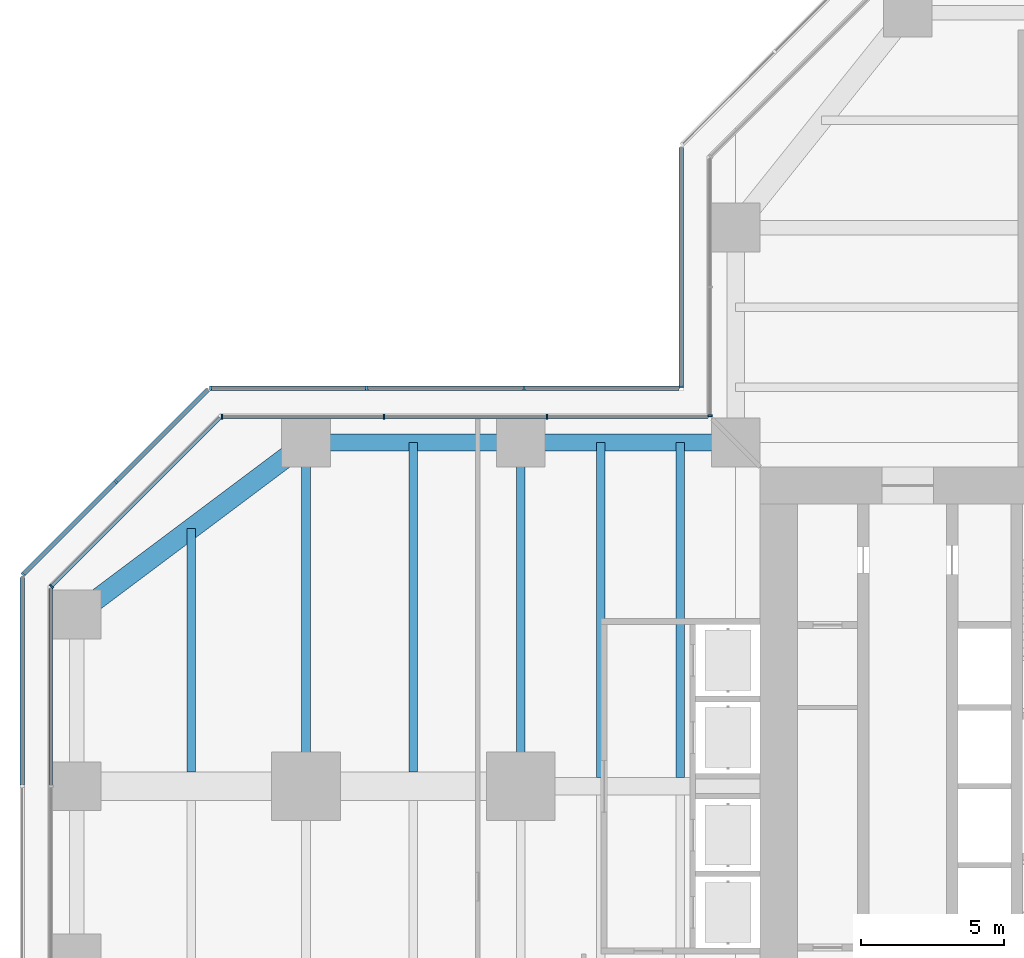
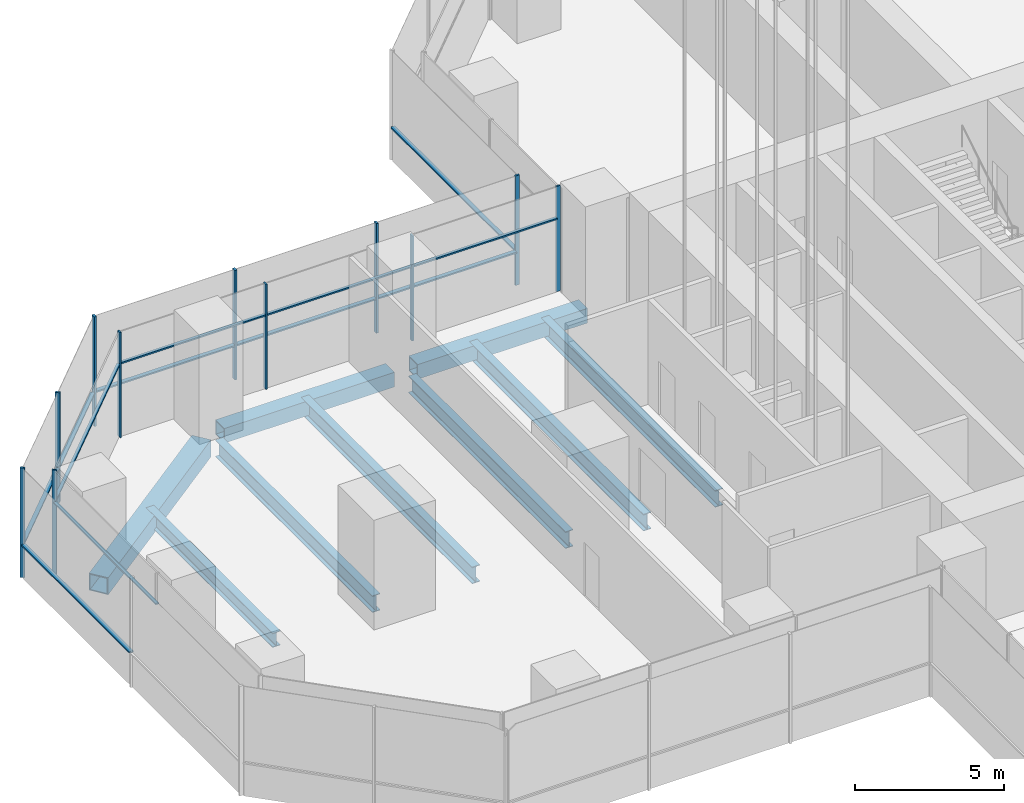
# One storey, part 6 of 34: 23 members, 9 beams, 8 elements without a shape of their own.
"""IFC4 building model written with IfcOpenShell, lengths in metres."""

from ifc_helpers import new_model, si_unit, direction, frame, origin, origin_2d, place, context, subcontext, project, spatial, rectangle, hollow_rectangle, i_section, extrude, material, material_profile, profile_set, type_object, element, aggregate, save


model = new_model("IFC4")

# Units and contexts
model_context = context("Model", 3, precision=1e-05, world=origin(), true_north=direction((0.0, 1.0)))
body_context = subcontext(model_context, "Body", "Model", "MODEL_VIEW")
ifc_project = project(units=[si_unit("LENGTHUNIT", "METRE"), si_unit("AREAUNIT", "SQUARE_METRE"), si_unit("VOLUMEUNIT", "CUBIC_METRE"), si_unit("PLANEANGLEUNIT", "RADIAN"), si_unit("MASSUNIT", "GRAM", prefix="KILO")], contexts=[model_context])

# Site, building, storey
site_placement = place(None, origin())
site = spatial("IfcSite", under=ifc_project, at=site_placement, CompositionType="ELEMENT")
building_placement = place(site_placement, origin())
building = spatial("IfcBuilding", under=site, at=building_placement, Name="Mizan Broadcast Tower", CompositionType="ELEMENT")
storey_placement = place(building_placement, frame((0.0, 0.0, 194.39990234375)))
storey = spatial("IfcBuildingStorey", under=building, at=storey_placement, Name="L45", CompositionType="ELEMENT", Elevation=194.39990234375)

# Beams
ifc_material_1 = material(Name="Steel S355", Category="steel")
ifc_material_profile_1 = material_profile(ifc_material_1, hollow_rectangle(XDim=0.60009765625, YDim=0.60009765625, WallThickness=0.0400390625, at=origin_2d()), Name="BOX 600x600x40")
ifc_profile_set_1 = profile_set([ifc_material_profile_1], Name="Steel S355")
beam_type_1 = type_object("IfcBeamType", Name="EDGE BEAM BOX 600x600x40", PredefinedType="SPANDREL", material=ifc_profile_set_1)
for number, where, z_axis, x_axis, name in (
    (1, (-12.449951171875, 12.0, -0.429931640625), (-1.0, 0.0, 0.0), (0.0, -1.0, 0.0), "Edge beam BOX 600x600x40 L45 west arm"),
    (2, (-19.949951171875, 12.0, -0.429931640625), (-1.0, 0.0, 0.0), (0.0, -1.0, 0.0), "Edge beam BOX 600x600x40 L45 west arm"),
):
    element("IfcBeam", number, at=place(storey_placement, frame(where, z_axis=z_axis, x_axis=x_axis)), inside=storey, type_object=beam_type_1, Name=name, PredefinedType="SPANDREL", context=body_context, shape_type="SweptSolid", body=[
        extrude(hollow_rectangle(XDim=0.60009765625, YDim=0.60009765625, WallThickness=0.0400390625, at=origin_2d()), origin(), (0.0, 0.0, 1.0), 6.60009765625),
    ])
ifc_material_2 = material(Name="Steel S355", Category="steel")
ifc_material_profile_2 = material_profile(ifc_material_2, hollow_rectangle(XDim=0.699951171875, YDim=0.699951171875, WallThickness=0.0400390625, at=origin_2d()), Name="BOX 700x700x40")
ifc_profile_set_2 = profile_set([ifc_material_profile_2], Name="Steel S355")
beam_type_2 = type_object("IfcBeamType", Name="EDGE BEAM BOX 700x700x40", PredefinedType="SPANDREL", material=ifc_profile_set_2)
beam_1_placement = place(storey_placement, frame((-27.47998046875, 11.639892578125, -0.47998046875), z_axis=(-0.800013316712, -0.599982243973, 0.0), x_axis=(0.599982243973, -0.800013316712, 0.0)))
element("IfcBeam", 3, at=beam_1_placement, inside=storey, type_object=beam_type_2, Name="Edge beam BOX 700x700x40 L45 west arm", PredefinedType="SPANDREL", context=body_context, shape_type="SweptSolid", body=[
    extrude(hollow_rectangle(XDim=0.699951171875, YDim=0.699951171875, WallThickness=0.0400390625, at=origin_2d()), origin(), (0.0, 0.0, 1.0), 8.7998046875),
])
ifc_material_3 = material(Name="Steel S355", Category="steel")
ifc_material_profile_3 = material_profile(ifc_material_3, i_section(OverallWidth=0.300048828125, OverallDepth=0.68994140625, WebThickness=0.014404296875, FlangeThickness=0.027099609375, FilletRadius=0.027099609375, at=origin_2d()), Name="HEA 700")
ifc_profile_set_3 = profile_set([ifc_material_profile_3], Name="Steel S355")
beam_type_3 = type_object("IfcBeamType", Name="GIRDER HEA 700", PredefinedType="BEAM", material=ifc_profile_set_3)
for number, where, z_axis, x_axis, name in (
    (4, (-19.5, 11.280029296875, -0.474853515625), (0.0, -1.0, 0.0), (1.0, 0.0, 0.0), "Girder HEA 700 L45 west arm"),
    (5, (-27.0, 11.280029296875, -0.474853515625), (0.0, -1.0, 0.0), (1.0, 0.0, 0.0), "Girder HEA 700 L45 west arm"),
):
    element("IfcBeam", number, at=place(storey_placement, frame(where, z_axis=z_axis, x_axis=x_axis)), inside=storey, type_object=beam_type_3, Name=name, PredefinedType="BEAM", context=body_context, shape_type="SweptSolid", body=[
        extrude(i_section(OverallWidth=0.300048828125, OverallDepth=0.68994140625, WebThickness=0.014404296875, FlangeThickness=0.027099609375, FilletRadius=0.027099609375, at=origin_2d()), origin(), (0.0, 0.0, 1.0), 10.56005859375),
    ])

# Curtain wall, member
ifc_material_4 = material(Name="Aluminium framed glazing", Category="aluminium")
curtain_wall_type_1 = type_object("IfcCurtainWallType", Name="INNER SKIN HIGH ZONE", PredefinedType="USERDEFINED", material=ifc_material_4)
curtain_wall_1_placement = place(storey_placement, origin())
curtain_wall_1 = element("IfcCurtainWall", 6, at=curtain_wall_1_placement, inside=storey, type_object=curtain_wall_type_1, Name="Inner skin high zone L45 N side", ObjectType="INNER SKIN HIGH ZONE", PredefinedType="USERDEFINED")
ifc_material_5 = material(Name="Aluminium, pale anodised", Category="aluminium")
ifc_material_profile_4 = material_profile(ifc_material_5, rectangle(XDim=0.159912109375, YDim=0.06005859375, at=origin_2d()), Name="MULLION 160x60")
ifc_profile_set_4 = profile_set([ifc_material_profile_4], Name="Aluminium, pale anodised")
member_type_1 = type_object("IfcMemberType", Name="INNER SKIN MULLION 60x160", PredefinedType="MULLION", material=ifc_profile_set_4)
member_1_placement = place(storey_placement, frame((-12.89990234375, 12.929931640625, 0.0), z_axis=(0.0, 0.0, 1.0), x_axis=(1.0, 0.0, 0.0)))
member_1 = element("IfcMember", 7, at=member_1_placement, type_object=member_type_1, Name="Inner skin high zone L45 N side mullion 3", PredefinedType="MULLION", context=body_context, shape_type="SweptSolid", body=[
    extrude(rectangle(XDim=0.159912109375, YDim=0.06005859375, at=origin_2d()), origin(), (0.0, 0.0, 1.0), 4.320068359375),
])
aggregate(curtain_wall_1, [member_1])

# Curtain wall, members
curtain_wall_2_placement = place(storey_placement, origin())
curtain_wall_2 = element("IfcCurtainWall", 8, at=curtain_wall_2_placement, inside=storey, type_object=curtain_wall_type_1, Name="Inner skin high zone L45 W side", ObjectType="INNER SKIN HIGH ZONE", PredefinedType="USERDEFINED")
member_2_placement = place(storey_placement, frame((-18.586181640625, 12.89990234375, 0.0), z_axis=(0.0, 0.0, 1.0), x_axis=(0.0, -1.0, 0.0)))
member_2 = element("IfcMember", 9, at=member_2_placement, type_object=member_type_1, Name="Inner skin high zone L45 W side mullion 2", PredefinedType="MULLION", context=body_context, shape_type="SweptSolid", body=[
    extrude(rectangle(XDim=0.159912109375, YDim=0.06005859375, at=origin_2d()), origin(), (0.0, 0.0, 1.0), 4.320068359375),
])
member_3_placement = place(storey_placement, frame((-24.2724609375, 12.89990234375, 0.0), z_axis=(0.0, 0.0, 1.0), x_axis=(0.0, -1.0, 0.0)))
member_3 = element("IfcMember", 10, at=member_3_placement, type_object=member_type_1, Name="Inner skin high zone L45 W side mullion 3", PredefinedType="MULLION", context=body_context, shape_type="SweptSolid", body=[
    extrude(rectangle(XDim=0.159912109375, YDim=0.06005859375, at=origin_2d()), origin(), (0.0, 0.0, 1.0), 4.320068359375),
])
member_4_placement = place(storey_placement, frame((-29.928466796875, 12.89990234375, 0.0), z_axis=(0.0, 0.0, 1.0), x_axis=(0.0, -1.0, 0.0)))
member_4 = element("IfcMember", 11, at=member_4_placement, type_object=member_type_1, Name="Inner skin high zone L45 W side mullion 4", PredefinedType="MULLION", context=body_context, shape_type="SweptSolid", body=[
    extrude(rectangle(XDim=0.159912109375, YDim=0.06005859375, at=origin_2d()), origin(), (0.0, 0.0, 1.0), 4.320068359375),
])

# Curtain wall, member
curtain_wall_3_placement = place(storey_placement, origin())
curtain_wall_3 = element("IfcCurtainWall", 12, at=curtain_wall_3_placement, inside=storey, type_object=curtain_wall_type_1, Name="Inner skin high zone L45 W chamfer", ObjectType="INNER SKIN HIGH ZONE", PredefinedType="USERDEFINED")
member_5_placement = place(storey_placement, frame((-35.87890625, 6.979736328125, 0.0), z_axis=(0.0, 0.0, 1.0), x_axis=(0.707106781187, -0.707106781187, 0.0)))
member_5 = element("IfcMember", 13, at=member_5_placement, type_object=member_type_1, Name="Inner skin high zone L45 W chamfer mullion 2", PredefinedType="MULLION", context=body_context, shape_type="SweptSolid", body=[
    extrude(rectangle(XDim=0.159912109375, YDim=0.06005859375, at=origin_2d()), origin(), (0.0, 0.0, 1.0), 4.320068359375),
])

# Member
ifc_material_6 = material(Name="Aluminium, pale anodised", Category="aluminium")
ifc_material_profile_5 = material_profile(ifc_material_6, rectangle(XDim=0.1201171875, YDim=0.06005859375, at=origin_2d()), Name="TRANSOM 120x60")
ifc_profile_set_5 = profile_set([ifc_material_profile_5], Name="Aluminium, pale anodised")
member_type_2 = type_object("IfcMemberType", Name="INNER SKIN TRANSOM 60x120", PredefinedType="USERDEFINED", material=ifc_profile_set_5)
member_6_placement = place(storey_placement, frame((-12.9599609375, 12.89990234375, 3.030029296875), z_axis=(-1.0, 0.0, 0.0), x_axis=(0.0, -1.0, 0.0)))
member_6 = element("IfcMember", 14, at=member_6_placement, type_object=member_type_2, Name="Inner skin high zone L45 W side transom 1.1", ObjectType="TRANSOM", PredefinedType="USERDEFINED", context=body_context, shape_type="SweptSolid", body=[
    extrude(rectangle(XDim=0.1201171875, YDim=0.06005859375, at=origin_2d()), origin(), (0.0, 0.0, 1.0), 5.59619140625),
])

member_7_placement = place(storey_placement, frame((-18.6162109375, 12.89990234375, 3.030029296875), z_axis=(-1.0, 0.0, 0.0), x_axis=(0.0, -1.0, 0.0)))
member_7 = element("IfcMember", 15, at=member_7_placement, type_object=member_type_2, Name="Inner skin high zone L45 W side transom 2.1", ObjectType="TRANSOM", PredefinedType="USERDEFINED", context=body_context, shape_type="SweptSolid", body=[
    extrude(rectangle(XDim=0.1201171875, YDim=0.06005859375, at=origin_2d()), origin(), (0.0, 0.0, 1.0), 5.626220703125),
])

member_8_placement = place(storey_placement, frame((-24.302490234375, 12.89990234375, 3.030029296875), z_axis=(-1.0, 0.0, 0.0), x_axis=(0.0, -1.0, 0.0)))
member_8 = element("IfcMember", 16, at=member_8_placement, type_object=member_type_2, Name="Inner skin high zone L45 W side transom 3.1", ObjectType="TRANSOM", PredefinedType="USERDEFINED", context=body_context, shape_type="SweptSolid", body=[
    extrude(rectangle(XDim=0.1201171875, YDim=0.06005859375, at=origin_2d()), origin(), (0.0, 0.0, 1.0), 5.59619140625),
])

aggregate(curtain_wall_2, [member_2, member_3, member_4, member_6, member_7, member_8])

member_9_placement = place(storey_placement, frame((-30.0009765625, 12.857666015625, 3.030029296875), z_axis=(-0.707106781187, -0.707106781187, 0.0), x_axis=(0.707106781187, -0.707106781187, 0.0)))
member_9 = element("IfcMember", 17, at=member_9_placement, type_object=member_type_2, Name="Inner skin high zone L45 W chamfer transom 1.1", ObjectType="TRANSOM", PredefinedType="USERDEFINED", context=body_context, shape_type="SweptSolid", body=[
    extrude(rectangle(XDim=0.1201171875, YDim=0.06005859375, at=origin_2d()), origin(), (0.0, 0.0, 1.0), 8.28271484375),
])

aggregate(curtain_wall_3, [member_5, member_9])

# Curtain wall, member
curtain_wall_4_placement = place(storey_placement, origin())
curtain_wall_4 = element("IfcCurtainWall", 18, at=curtain_wall_4_placement, inside=storey, type_object=curtain_wall_type_1, Name="Inner skin high zone L45 W end", ObjectType="INNER SKIN HIGH ZONE", PredefinedType="USERDEFINED")
member_10_placement = place(storey_placement, frame((-35.89990234375, 6.898681640625, 3.030029296875), z_axis=(0.0, -1.0, 0.0), x_axis=(1.0, 0.0, 0.0)))
member_10 = element("IfcMember", 19, at=member_10_placement, type_object=member_type_2, Name="Inner skin high zone L45 W end transom 1.1", ObjectType="TRANSOM", PredefinedType="USERDEFINED", context=body_context, shape_type="SweptSolid", body=[
    extrude(rectangle(XDim=0.1201171875, YDim=0.06005859375, at=origin_2d()), origin(), (0.0, 0.0, 1.0), 6.86865234375),
])
aggregate(curtain_wall_4, [member_10])

ifc_material_7 = material(Name="Aluminium framed glazing", Category="aluminium")
curtain_wall_type_2 = type_object("IfcCurtainWallType", Name="OUTER SKIN", PredefinedType="USERDEFINED", material=ifc_material_7)
curtain_wall_5_placement = place(storey_placement, origin())
curtain_wall_5 = element("IfcCurtainWall", 20, at=curtain_wall_5_placement, inside=storey, type_object=curtain_wall_type_2, Name="Outer skin L45 N side", ObjectType="OUTER SKIN", PredefinedType="USERDEFINED")
ifc_material_8 = material(Name="Aluminium, pale anodised", Category="aluminium")
ifc_material_profile_6 = material_profile(ifc_material_8, rectangle(XDim=0.159912109375, YDim=0.080078125, at=origin_2d()), Name="MULLION 160x80")
ifc_profile_set_6 = profile_set([ifc_material_profile_6], Name="Aluminium, pale anodised")
member_type_3 = type_object("IfcMemberType", Name="OUTER SKIN MULLION 80x160", PredefinedType="MULLION", material=ifc_profile_set_6)
member_11_placement = place(storey_placement, frame((-13.89990234375, 13.93994140625, 0.0), z_axis=(0.0, 0.0, 1.0), x_axis=(1.0, 0.0, 0.0)))
member_11 = element("IfcMember", 21, at=member_11_placement, type_object=member_type_3, Name="Outer skin L45 N side mullion 2", PredefinedType="MULLION", context=body_context, shape_type="SweptSolid", body=[
    extrude(rectangle(XDim=0.159912109375, YDim=0.080078125, at=origin_2d()), origin(), (0.0, 0.0, 1.0), 4.5),
])

# Curtain wall, members
curtain_wall_6_placement = place(storey_placement, origin())
curtain_wall_6 = element("IfcCurtainWall", 22, at=curtain_wall_6_placement, inside=storey, type_object=curtain_wall_type_2, Name="Outer skin L45 W side", ObjectType="OUTER SKIN", PredefinedType="USERDEFINED")
member_12_placement = place(storey_placement, frame((-19.390869140625, 13.89990234375, 0.0), z_axis=(0.0, 0.0, 1.0), x_axis=(0.0, -1.0, 0.0)))
member_12 = element("IfcMember", 23, at=member_12_placement, type_object=member_type_3, Name="Outer skin L45 W side mullion 2", PredefinedType="MULLION", context=body_context, shape_type="SweptSolid", body=[
    extrude(rectangle(XDim=0.159912109375, YDim=0.080078125, at=origin_2d()), origin(), (0.0, 0.0, 1.0), 4.5),
])
member_13_placement = place(storey_placement, frame((-24.8818359375, 13.89990234375, 0.0), z_axis=(0.0, 0.0, 1.0), x_axis=(0.0, -1.0, 0.0)))
member_13 = element("IfcMember", 24, at=member_13_placement, type_object=member_type_3, Name="Outer skin L45 W side mullion 3", PredefinedType="MULLION", context=body_context, shape_type="SweptSolid", body=[
    extrude(rectangle(XDim=0.159912109375, YDim=0.080078125, at=origin_2d()), origin(), (0.0, 0.0, 1.0), 4.5),
])
member_14_placement = place(storey_placement, frame((-30.332763671875, 13.89990234375, 0.0), z_axis=(0.0, 0.0, 1.0), x_axis=(0.0, -1.0, 0.0)))
member_14 = element("IfcMember", 25, at=member_14_placement, type_object=member_type_3, Name="Outer skin L45 W side mullion 4", PredefinedType="MULLION", context=body_context, shape_type="SweptSolid", body=[
    extrude(rectangle(XDim=0.159912109375, YDim=0.080078125, at=origin_2d()), origin(), (0.0, 0.0, 1.0), 4.5),
])

curtain_wall_7_placement = place(storey_placement, origin())
curtain_wall_7 = element("IfcCurtainWall", 26, at=curtain_wall_7_placement, inside=storey, type_object=curtain_wall_type_2, Name="Outer skin L45 W chamfer", ObjectType="OUTER SKIN", PredefinedType="USERDEFINED")
member_15_placement = place(storey_placement, frame((-33.636474609375, 10.636474609375, 0.0), z_axis=(0.0, 0.0, 1.0), x_axis=(0.707106781187, -0.707106781187, 0.0)))
member_15 = element("IfcMember", 27, at=member_15_placement, type_object=member_type_3, Name="Outer skin L45 W chamfer mullion 2", PredefinedType="MULLION", context=body_context, shape_type="SweptSolid", body=[
    extrude(rectangle(XDim=0.159912109375, YDim=0.080078125, at=origin_2d()), origin(), (0.0, 0.0, 1.0), 4.5),
])
member_16_placement = place(storey_placement, frame((-36.871826171875, 7.401123046875, 0.0), z_axis=(0.0, 0.0, 1.0), x_axis=(0.707106781187, -0.707106781187, 0.0)))
member_16 = element("IfcMember", 28, at=member_16_placement, type_object=member_type_3, Name="Outer skin L45 W chamfer mullion 3", PredefinedType="MULLION", context=body_context, shape_type="SweptSolid", body=[
    extrude(rectangle(XDim=0.159912109375, YDim=0.080078125, at=origin_2d()), origin(), (0.0, 0.0, 1.0), 4.5),
])

# Member
ifc_material_9 = material(Name="Aluminium, pale anodised", Category="aluminium")
ifc_material_profile_7 = material_profile(ifc_material_9, rectangle(XDim=0.159912109375, YDim=0.06005859375, at=origin_2d()), Name="TRANSOM 160x60")
ifc_profile_set_7 = profile_set([ifc_material_profile_7], Name="Aluminium, pale anodised")
member_type_4 = type_object("IfcMemberType", Name="OUTER SKIN TRANSOM 60x160", PredefinedType="USERDEFINED", material=ifc_profile_set_7)
member_17_placement = place(storey_placement, frame((-13.89990234375, 22.292724609375, 1.400146484375), z_axis=(0.0, -1.0, 0.0), x_axis=(1.0, 0.0, 0.0)))
member_17 = element("IfcMember", 29, at=member_17_placement, type_object=member_type_4, Name="Outer skin L45 N side transom 1.1", ObjectType="TRANSOM", PredefinedType="USERDEFINED", context=body_context, shape_type="SweptSolid", body=[
    extrude(rectangle(XDim=0.159912109375, YDim=0.06005859375, at=origin_2d()), origin(), (0.0, 0.0, 1.0), 8.312744140625),
])

aggregate(curtain_wall_5, [member_11, member_17])

member_18_placement = place(storey_placement, frame((-13.97998046875, 13.89990234375, 1.400146484375), z_axis=(-1.0, 0.0, 0.0), x_axis=(0.0, -1.0, 0.0)))
member_18 = element("IfcMember", 30, at=member_18_placement, type_object=member_type_4, Name="Outer skin L45 W side transom 1.1", ObjectType="TRANSOM", PredefinedType="USERDEFINED", context=body_context, shape_type="SweptSolid", body=[
    extrude(rectangle(XDim=0.159912109375, YDim=0.06005859375, at=origin_2d()), origin(), (0.0, 0.0, 1.0), 5.370849609375),
])

member_19_placement = place(storey_placement, frame((-19.430908203125, 13.89990234375, 1.400146484375), z_axis=(-1.0, 0.0, 0.0), x_axis=(0.0, -1.0, 0.0)))
member_19 = element("IfcMember", 31, at=member_19_placement, type_object=member_type_4, Name="Outer skin L45 W side transom 2.1", ObjectType="TRANSOM", PredefinedType="USERDEFINED", context=body_context, shape_type="SweptSolid", body=[
    extrude(rectangle(XDim=0.159912109375, YDim=0.06005859375, at=origin_2d()), origin(), (0.0, 0.0, 1.0), 5.410888671875),
])

member_20_placement = place(storey_placement, frame((-24.921875, 13.89990234375, 1.400146484375), z_axis=(-1.0, 0.0, 0.0), x_axis=(0.0, -1.0, 0.0)))
member_20 = element("IfcMember", 32, at=member_20_placement, type_object=member_type_4, Name="Outer skin L45 W side transom 3.1", ObjectType="TRANSOM", PredefinedType="USERDEFINED", context=body_context, shape_type="SweptSolid", body=[
    extrude(rectangle(XDim=0.159912109375, YDim=0.06005859375, at=origin_2d()), origin(), (0.0, 0.0, 1.0), 5.370849609375),
])

aggregate(curtain_wall_6, [member_12, member_13, member_14, member_18, member_19, member_20])

member_21_placement = place(storey_placement, frame((-30.429443359375, 13.843505859375, 1.400146484375), z_axis=(-0.707106781187, -0.707106781187, 0.0), x_axis=(0.707106781187, -0.707106781187, 0.0)))
member_21 = element("IfcMember", 33, at=member_21_placement, type_object=member_type_4, Name="Outer skin L45 W chamfer transom 1.1", ObjectType="TRANSOM", PredefinedType="USERDEFINED", context=body_context, shape_type="SweptSolid", body=[
    extrude(rectangle(XDim=0.159912109375, YDim=0.06005859375, at=origin_2d()), origin(), (0.0, 0.0, 1.0), 4.495361328125),
])

member_22_placement = place(storey_placement, frame((-33.664794921875, 10.608154296875, 1.400146484375), z_axis=(-0.707106781187, -0.707106781187, 0.0), x_axis=(0.707106781187, -0.707106781187, 0.0)))
member_22 = element("IfcMember", 34, at=member_22_placement, type_object=member_type_4, Name="Outer skin L45 W chamfer transom 2.1", ObjectType="TRANSOM", PredefinedType="USERDEFINED", context=body_context, shape_type="SweptSolid", body=[
    extrude(rectangle(XDim=0.159912109375, YDim=0.06005859375, at=origin_2d()), origin(), (0.0, 0.0, 1.0), 4.495361328125),
])

aggregate(curtain_wall_7, [member_15, member_16, member_21, member_22])

# Curtain wall, member
curtain_wall_8_placement = place(storey_placement, origin())
curtain_wall_8 = element("IfcCurtainWall", 35, at=curtain_wall_8_placement, inside=storey, type_object=curtain_wall_type_2, Name="Outer skin L45 W end", ObjectType="OUTER SKIN", PredefinedType="USERDEFINED")
member_23_placement = place(storey_placement, frame((-36.89990234375, 7.292724609375, 1.400146484375), z_axis=(0.0, -1.0, 0.0), x_axis=(1.0, 0.0, 0.0)))
member_23 = element("IfcMember", 36, at=member_23_placement, type_object=member_type_4, Name="Outer skin L45 W end transom 1.1", ObjectType="TRANSOM", PredefinedType="USERDEFINED", context=body_context, shape_type="SweptSolid", body=[
    extrude(rectangle(XDim=0.159912109375, YDim=0.06005859375, at=origin_2d()), origin(), (0.0, 0.0, 1.0), 7.252685546875),
])
aggregate(curtain_wall_8, [member_23])

# Beams
ifc_material_10 = material(Name="Steel S355", Category="steel")
ifc_material_profile_8 = material_profile(ifc_material_10, i_section(OverallWidth=0.300048828125, OverallDepth=0.590087890625, WebThickness=0.012939453125, FlangeThickness=0.02490234375, FilletRadius=0.027099609375, at=origin_2d()), Name="HEA 600")
ifc_profile_set_8 = profile_set([ifc_material_profile_8], Name="Steel S355")
beam_type_4 = type_object("IfcBeamType", Name="SECONDARY BEAM HEA 600", PredefinedType="JOIST", material=ifc_profile_set_8)
beam_2_placement = place(storey_placement, frame((-31.0, 9.0, -0.4248046875), z_axis=(0.0, -1.0, 0.0), x_axis=(1.0, 0.0, 0.0)))
element("IfcBeam", 37, at=beam_2_placement, inside=storey, type_object=beam_type_4, Name="Secondary beam HEA 600 L45 west arm", PredefinedType="JOIST", context=body_context, shape_type="SweptSolid", body=[
    extrude(i_section(OverallWidth=0.300048828125, OverallDepth=0.590087890625, WebThickness=0.012939453125, FlangeThickness=0.02490234375, FilletRadius=0.027099609375, at=origin_2d()), origin(), (0.0, 0.0, 1.0), 8.5),
])
ifc_material_11 = material(Name="Steel S355", Category="steel")
ifc_material_profile_9 = material_profile(ifc_material_11, i_section(OverallWidth=0.300048828125, OverallDepth=0.68994140625, WebThickness=0.014404296875, FlangeThickness=0.027099609375, FilletRadius=0.027099609375, at=origin_2d()), Name="HEA 700")
ifc_profile_set_9 = profile_set([ifc_material_profile_9], Name="Steel S355")
beam_type_5 = type_object("IfcBeamType", Name="SECONDARY BEAM HEA 700", PredefinedType="JOIST", material=ifc_profile_set_9)
for number, where, z_axis, x_axis, name in (
    (38, (-13.933349609375, 12.0, -0.474853515625), (0.0, -1.0, 0.0), (1.0, 0.0, 0.0), "Secondary beam HEA 700 L45 west arm"),
    (39, (-16.716552734375, 12.0, -0.474853515625), (0.0, -1.0, 0.0), (1.0, 0.0, 0.0), "Secondary beam HEA 700 L45 west arm"),
):
    element("IfcBeam", number, at=place(storey_placement, frame(where, z_axis=z_axis, x_axis=x_axis)), inside=storey, type_object=beam_type_5, Name=name, PredefinedType="JOIST", context=body_context, shape_type="SweptSolid", body=[
        extrude(i_section(OverallWidth=0.300048828125, OverallDepth=0.68994140625, WebThickness=0.014404296875, FlangeThickness=0.027099609375, FilletRadius=0.027099609375, at=origin_2d()), origin(), (0.0, 0.0, 1.0), 11.699951171875),
    ])
beam_3_placement = place(storey_placement, frame((-23.25, 12.0, -0.474853515625), z_axis=(0.0, -1.0, 0.0), x_axis=(1.0, 0.0, 0.0)))
element("IfcBeam", 40, at=beam_3_placement, inside=storey, type_object=beam_type_5, Name="Secondary beam HEA 700 L45 west arm", PredefinedType="JOIST", context=body_context, shape_type="SweptSolid", body=[
    extrude(i_section(OverallWidth=0.300048828125, OverallDepth=0.68994140625, WebThickness=0.014404296875, FlangeThickness=0.027099609375, FilletRadius=0.027099609375, at=origin_2d()), origin(), (0.0, 0.0, 1.0), 11.5),
])

save(model, "model.ifc")
